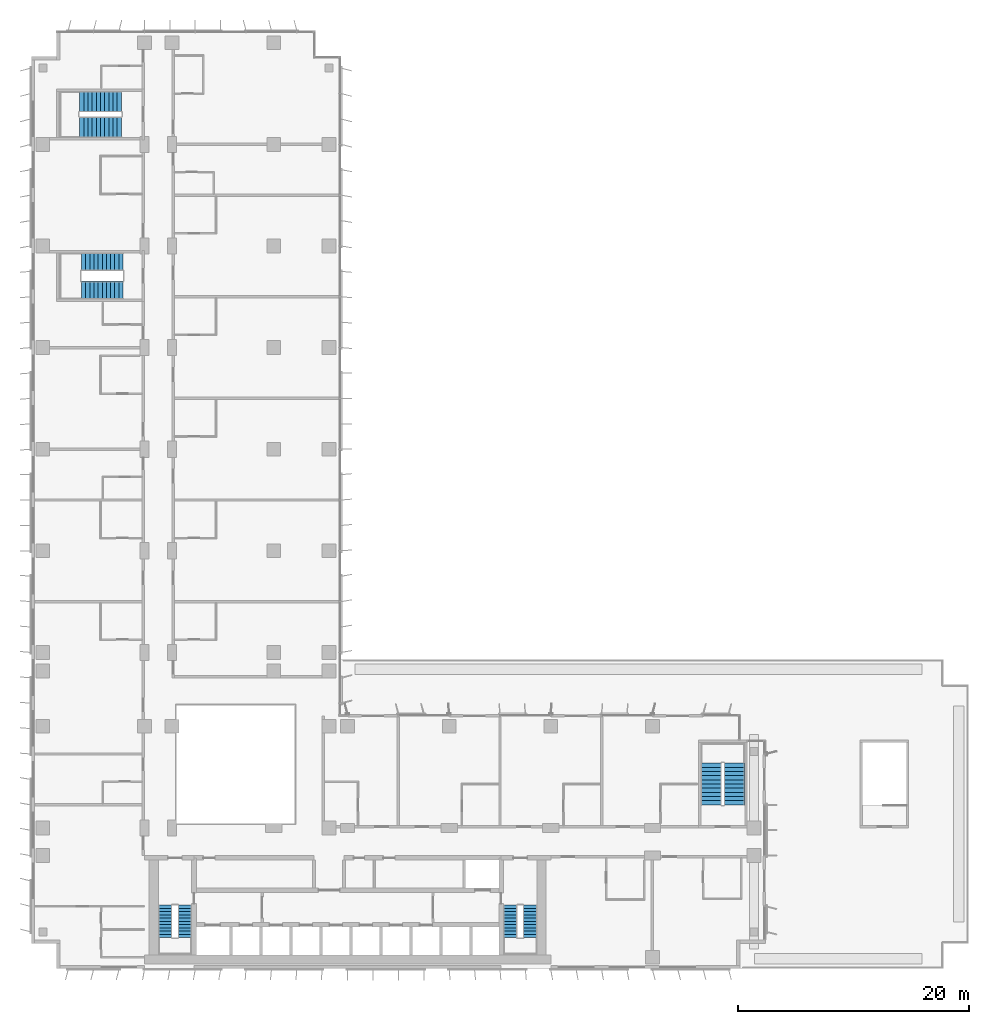
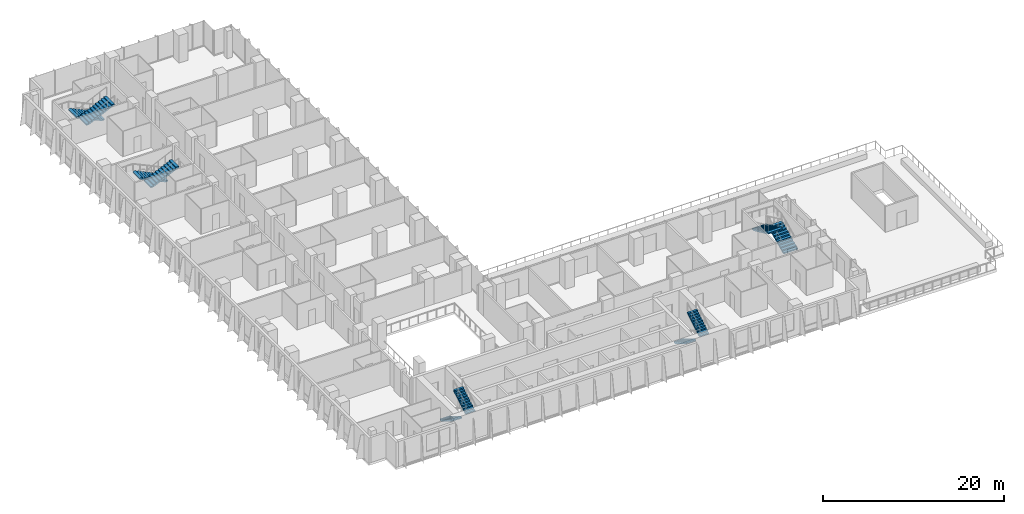
# One storey, part 22 of 27: 10 stair flights, 5 elements without a shape of their own.
"""IFC4 building model written with IfcOpenShell, lengths in metres."""

from ifc_helpers import new_model, si_unit, direction, frame, origin, place, context, subcontext, project, spatial, polyline, outline, extrude, material, type_object, element, aggregate, save


model = new_model("IFC4")

# Units and contexts
model_context = context("Model", 3, precision=1e-05, world=origin(), true_north=direction((0.0, 1.0)))
body_context = subcontext(model_context, "Body", "Model", "MODEL_VIEW")
ifc_project = project(units=[si_unit("LENGTHUNIT", "METRE"), si_unit("AREAUNIT", "SQUARE_METRE"), si_unit("VOLUMEUNIT", "CUBIC_METRE"), si_unit("PLANEANGLEUNIT", "RADIAN"), si_unit("MASSUNIT", "GRAM", prefix="KILO")], contexts=[model_context])

# Site, building, storey
site_placement = place(None, origin())
site = spatial("IfcSite", under=ifc_project, at=site_placement, CompositionType="ELEMENT")
building_placement = place(site_placement, origin())
building = spatial("IfcBuilding", under=site, at=building_placement, Name="Kemantara Hotel Tower", CompositionType="ELEMENT")
storey_placement = place(building_placement, frame((0.0, 0.0, 83.39990234375)))
storey = spatial("IfcBuildingStorey", under=building, at=storey_placement, Name="L19", CompositionType="ELEMENT", Elevation=83.39990234375)

# Stair, stair flights
ifc_material = material(Name="Concrete fc 40 MPa", Category="concrete")
stair_type_1 = type_object("IfcStairType", Name="Stair 1200 wide 22 risers of 168 x 280 mm", PredefinedType="HALF_TURN_STAIR", material=ifc_material)
stair_1_placement = place(storey_placement, origin())
stair_1 = element("IfcStair", 1, at=stair_1_placement, inside=storey, type_object=stair_type_1, Name="L19 Exit stair ST1", PredefinedType="HALF_TURN_STAIR")
stair_flight_type_1 = type_object("IfcStairFlightType", Name="Stair flight 1200 wide 168 x 280 mm", PredefinedType="STRAIGHT", material=ifc_material)
stair_flight_1_placement = place(storey_placement, frame((11.60009765625, 5.5, 0.0), z_axis=(0.0, 0.0, 1.0), x_axis=(0.0, -1.0, 0.0)))
stair_flight_1 = element("IfcStairFlight", 2, at=stair_flight_1_placement, type_object=stair_flight_type_1, Name="ST1 flight 1", NumberOfRisers=11, NumberOfTreads=10, PredefinedType="STRAIGHT", RiserHeight=0.168181818, TreadLength=0.28, context=body_context, shape_type="SweptSolid", body=[
    extrude(outline(polyline([(0.0, 0.0), (0.0, 0.168212890625), (0.280029296875, 0.168212890625), (0.280029296875, 0.33642578125), (0.56005859375, 0.33642578125), (0.56005859375, 0.504638671875), (0.840087890625, 0.504638671875), (0.840087890625, 0.672607421875), (1.1201171875, 0.672607421875), (1.1201171875, 0.8408203125), (1.39990234375, 0.8408203125), (1.39990234375, 1.009033203125), (1.679931640625, 1.009033203125), (1.679931640625, 1.17724609375), (1.9599609375, 1.17724609375), (1.9599609375, 1.345458984375), (2.239990234375, 1.345458984375), (2.239990234375, 1.513671875), (2.52001953125, 1.513671875), (2.52001953125, 1.681884765625), (2.800048828125, 1.681884765625), (2.800048828125, 1.85009765625), (2.800048828125, 1.5068359375), (0.291015625, 0.0), (0.0, 0.0)])), frame((0.0, 0.60009765625, 0.0), z_axis=(0.0, -1.0, 0.0), x_axis=(1.0, 0.0, 0.0)), (0.0, 0.0, 1.0), 1.199951171875),
])
stair_flight_2_placement = place(storey_placement, frame((13.300048828125, 2.699951171875, 1.85009765625), z_axis=(0.0, 0.0, 1.0), x_axis=(0.0, 1.0, 0.0)))
stair_flight_2 = element("IfcStairFlight", 3, at=stair_flight_2_placement, type_object=stair_flight_type_1, Name="ST1 flight 2", NumberOfRisers=11, NumberOfTreads=10, PredefinedType="STRAIGHT", RiserHeight=0.168181818, TreadLength=0.28, context=body_context, shape_type="SweptSolid", body=[
    extrude(outline(polyline([(0.0, 0.0), (0.0, 0.168212890625), (0.280029296875, 0.168212890625), (0.280029296875, 0.33642578125), (0.56005859375, 0.33642578125), (0.56005859375, 0.504638671875), (0.840087890625, 0.504638671875), (0.840087890625, 0.672607421875), (1.1201171875, 0.672607421875), (1.1201171875, 0.8408203125), (1.39990234375, 0.8408203125), (1.39990234375, 1.009033203125), (1.679931640625, 1.009033203125), (1.679931640625, 1.17724609375), (1.9599609375, 1.17724609375), (1.9599609375, 1.345458984375), (2.239990234375, 1.345458984375), (2.239990234375, 1.513671875), (2.52001953125, 1.513671875), (2.52001953125, 1.681884765625), (2.800048828125, 1.681884765625), (2.800048828125, 1.85009765625), (2.800048828125, 1.5068359375), (0.291015625, 0.0), (0.0, 0.0)])), frame((0.0, 0.60009765625, 0.0), z_axis=(0.0, -1.0, 0.0), x_axis=(1.0, 0.0, 0.0)), (0.0, 0.0, 1.0), 1.199951171875),
])
aggregate(stair_1, [stair_flight_1, stair_flight_2])

stair_2_placement = place(storey_placement, origin())
stair_2 = element("IfcStair", 4, at=stair_2_placement, inside=storey, type_object=stair_type_1, Name="L19 Exit stair ST2", PredefinedType="HALF_TURN_STAIR")
stair_flight_3_placement = place(storey_placement, frame((41.5, 5.5, 0.0), z_axis=(0.0, 0.0, 1.0), x_axis=(0.0, -1.0, 0.0)))
stair_flight_3 = element("IfcStairFlight", 5, at=stair_flight_3_placement, type_object=stair_flight_type_1, Name="ST2 flight 1", NumberOfRisers=11, NumberOfTreads=10, PredefinedType="STRAIGHT", RiserHeight=0.168181818, TreadLength=0.28, context=body_context, shape_type="SweptSolid", body=[
    extrude(outline(polyline([(0.0, 0.0), (0.0, 0.168212890625), (0.280029296875, 0.168212890625), (0.280029296875, 0.33642578125), (0.56005859375, 0.33642578125), (0.56005859375, 0.504638671875), (0.840087890625, 0.504638671875), (0.840087890625, 0.672607421875), (1.1201171875, 0.672607421875), (1.1201171875, 0.8408203125), (1.39990234375, 0.8408203125), (1.39990234375, 1.009033203125), (1.679931640625, 1.009033203125), (1.679931640625, 1.17724609375), (1.9599609375, 1.17724609375), (1.9599609375, 1.345458984375), (2.239990234375, 1.345458984375), (2.239990234375, 1.513671875), (2.52001953125, 1.513671875), (2.52001953125, 1.681884765625), (2.800048828125, 1.681884765625), (2.800048828125, 1.85009765625), (2.800048828125, 1.5068359375), (0.291015625, 0.0), (0.0, 0.0)])), frame((0.0, 0.60009765625, 0.0), z_axis=(0.0, -1.0, 0.0), x_axis=(1.0, 0.0, 0.0)), (0.0, 0.0, 1.0), 1.199951171875),
])
stair_flight_4_placement = place(storey_placement, frame((43.199951171875, 2.699951171875, 1.85009765625), z_axis=(0.0, 0.0, 1.0), x_axis=(0.0, 1.0, 0.0)))
stair_flight_4 = element("IfcStairFlight", 6, at=stair_flight_4_placement, type_object=stair_flight_type_1, Name="ST2 flight 2", NumberOfRisers=11, NumberOfTreads=10, PredefinedType="STRAIGHT", RiserHeight=0.168181818, TreadLength=0.28, context=body_context, shape_type="SweptSolid", body=[
    extrude(outline(polyline([(0.0, 0.0), (0.0, 0.168212890625), (0.280029296875, 0.168212890625), (0.280029296875, 0.33642578125), (0.56005859375, 0.33642578125), (0.56005859375, 0.504638671875), (0.840087890625, 0.504638671875), (0.840087890625, 0.672607421875), (1.1201171875, 0.672607421875), (1.1201171875, 0.8408203125), (1.39990234375, 0.8408203125), (1.39990234375, 1.009033203125), (1.679931640625, 1.009033203125), (1.679931640625, 1.17724609375), (1.9599609375, 1.17724609375), (1.9599609375, 1.345458984375), (2.239990234375, 1.345458984375), (2.239990234375, 1.513671875), (2.52001953125, 1.513671875), (2.52001953125, 1.681884765625), (2.800048828125, 1.681884765625), (2.800048828125, 1.85009765625), (2.800048828125, 1.5068359375), (0.291015625, 0.0), (0.0, 0.0)])), frame((0.0, 0.60009765625, 0.0), z_axis=(0.0, -1.0, 0.0), x_axis=(1.0, 0.0, 0.0)), (0.0, 0.0, 1.0), 1.199951171875),
])
aggregate(stair_2, [stair_flight_3, stair_flight_4])

stair_type_2 = type_object("IfcStairType", Name="Stair 1550 wide 22 risers of 168 x 360 mm", PredefinedType="HALF_TURN_STAIR", material=ifc_material)
stair_3_placement = place(storey_placement, origin())
stair_3 = element("IfcStair", 7, at=stair_3_placement, inside=storey, type_object=stair_type_2, Name="L19 Exit stair ST4", PredefinedType="HALF_TURN_STAIR")
stair_flight_type_2 = type_object("IfcStairFlightType", Name="Stair flight 1550 wide 168 x 360 mm", PredefinedType="STRAIGHT", material=ifc_material)
stair_flight_5_placement = place(storey_placement, frame((7.949951171875, 61.22509765625, 0.0), z_axis=(0.0, 0.0, 1.0), x_axis=(-1.0, 0.0, 0.0)))
stair_flight_5 = element("IfcStairFlight", 8, at=stair_flight_5_placement, type_object=stair_flight_type_2, Name="ST4 flight 1", NumberOfRisers=11, NumberOfTreads=10, PredefinedType="STRAIGHT", RiserHeight=0.168181818, TreadLength=0.36, context=body_context, shape_type="SweptSolid", body=[
    extrude(outline(polyline([(0.0, 0.0), (0.0, 0.168212890625), (0.360107421875, 0.168212890625), (0.360107421875, 0.33642578125), (0.719970703125, 0.33642578125), (0.719970703125, 0.504638671875), (1.080078125, 0.504638671875), (1.080078125, 0.672607421875), (1.43994140625, 0.672607421875), (1.43994140625, 0.8408203125), (1.800048828125, 0.8408203125), (1.800048828125, 1.009033203125), (2.159912109375, 1.009033203125), (2.159912109375, 1.17724609375), (2.52001953125, 1.17724609375), (2.52001953125, 1.345458984375), (2.8798828125, 1.345458984375), (2.8798828125, 1.513671875), (3.239990234375, 1.513671875), (3.239990234375, 1.681884765625), (3.60009765625, 1.681884765625), (3.60009765625, 1.85009765625), (3.60009765625, 1.516357421875), (0.354248046875, 0.0), (0.0, 0.0)])), frame((0.0, 0.77490234375, 0.0), z_axis=(0.0, -1.0, 0.0), x_axis=(1.0, 0.0, 0.0)), (0.0, 0.0, 1.0), 1.550048828125),
])
stair_flight_6_placement = place(storey_placement, frame((4.35009765625, 58.77490234375, 1.85009765625), z_axis=(0.0, 0.0, 1.0), x_axis=(1.0, 0.0, 0.0)))
stair_flight_6 = element("IfcStairFlight", 9, at=stair_flight_6_placement, type_object=stair_flight_type_2, Name="ST4 flight 2", NumberOfRisers=11, NumberOfTreads=10, PredefinedType="STRAIGHT", RiserHeight=0.168181818, TreadLength=0.36, context=body_context, shape_type="SweptSolid", body=[
    extrude(outline(polyline([(0.0, 0.0), (0.0, 0.168212890625), (0.360107421875, 0.168212890625), (0.360107421875, 0.33642578125), (0.719970703125, 0.33642578125), (0.719970703125, 0.504638671875), (1.080078125, 0.504638671875), (1.080078125, 0.672607421875), (1.43994140625, 0.672607421875), (1.43994140625, 0.8408203125), (1.800048828125, 0.8408203125), (1.800048828125, 1.009033203125), (2.159912109375, 1.009033203125), (2.159912109375, 1.17724609375), (2.52001953125, 1.17724609375), (2.52001953125, 1.345458984375), (2.8798828125, 1.345458984375), (2.8798828125, 1.513671875), (3.239990234375, 1.513671875), (3.239990234375, 1.681884765625), (3.60009765625, 1.681884765625), (3.60009765625, 1.85009765625), (3.60009765625, 1.516357421875), (0.354248046875, 0.0), (0.0, 0.0)])), frame((0.0, 0.77490234375, 0.0), z_axis=(0.0, -1.0, 0.0), x_axis=(1.0, 0.0, 0.0)), (0.0, 0.0, 1.0), 1.550048828125),
])
aggregate(stair_3, [stair_flight_5, stair_flight_6])

stair_type_3 = type_object("IfcStairType", Name="Stair 1800 wide 22 risers of 168 x 360 mm", PredefinedType="HALF_TURN_STAIR", material=ifc_material)
stair_4_placement = place(storey_placement, origin())
stair_4 = element("IfcStair", 10, at=stair_4_placement, inside=storey, type_object=stair_type_3, Name="L19 Exit stair ST3", PredefinedType="HALF_TURN_STAIR")
stair_flight_type_3 = type_object("IfcStairFlightType", Name="Stair flight 1800 wide 168 x 360 mm", PredefinedType="STRAIGHT", material=ifc_material)
stair_flight_7_placement = place(storey_placement, frame((60.89990234375, 14.199951171875, 0.0), z_axis=(0.0, 0.0, 1.0), x_axis=(0.0, 1.0, 0.0)))
stair_flight_7 = element("IfcStairFlight", 11, at=stair_flight_7_placement, type_object=stair_flight_type_3, Name="ST3 flight 1", NumberOfRisers=11, NumberOfTreads=10, PredefinedType="STRAIGHT", RiserHeight=0.168181818, TreadLength=0.36, context=body_context, shape_type="SweptSolid", body=[
    extrude(outline(polyline([(0.0, 0.0), (0.0, 0.168212890625), (0.360107421875, 0.168212890625), (0.360107421875, 0.33642578125), (0.719970703125, 0.33642578125), (0.719970703125, 0.504638671875), (1.080078125, 0.504638671875), (1.080078125, 0.672607421875), (1.43994140625, 0.672607421875), (1.43994140625, 0.8408203125), (1.800048828125, 0.8408203125), (1.800048828125, 1.009033203125), (2.159912109375, 1.009033203125), (2.159912109375, 1.17724609375), (2.52001953125, 1.17724609375), (2.52001953125, 1.345458984375), (2.8798828125, 1.345458984375), (2.8798828125, 1.513671875), (3.239990234375, 1.513671875), (3.239990234375, 1.681884765625), (3.60009765625, 1.681884765625), (3.60009765625, 1.85009765625), (3.60009765625, 1.516357421875), (0.354248046875, 0.0), (0.0, 0.0)])), frame((0.0, 0.89990234375, 0.0), z_axis=(0.0, -1.0, 0.0), x_axis=(1.0, 0.0, 0.0)), (0.0, 0.0, 1.0), 1.800048828125),
])
stair_flight_8_placement = place(storey_placement, frame((58.89990234375, 17.800048828125, 1.85009765625), z_axis=(0.0, 0.0, 1.0), x_axis=(0.0, -1.0, 0.0)))
stair_flight_8 = element("IfcStairFlight", 12, at=stair_flight_8_placement, type_object=stair_flight_type_3, Name="ST3 flight 2", NumberOfRisers=11, NumberOfTreads=10, PredefinedType="STRAIGHT", RiserHeight=0.168181818, TreadLength=0.36, context=body_context, shape_type="SweptSolid", body=[
    extrude(outline(polyline([(0.0, 0.0), (0.0, 0.168212890625), (0.360107421875, 0.168212890625), (0.360107421875, 0.33642578125), (0.719970703125, 0.33642578125), (0.719970703125, 0.504638671875), (1.080078125, 0.504638671875), (1.080078125, 0.672607421875), (1.43994140625, 0.672607421875), (1.43994140625, 0.8408203125), (1.800048828125, 0.8408203125), (1.800048828125, 1.009033203125), (2.159912109375, 1.009033203125), (2.159912109375, 1.17724609375), (2.52001953125, 1.17724609375), (2.52001953125, 1.345458984375), (2.8798828125, 1.345458984375), (2.8798828125, 1.513671875), (3.239990234375, 1.513671875), (3.239990234375, 1.681884765625), (3.60009765625, 1.681884765625), (3.60009765625, 1.85009765625), (3.60009765625, 1.516357421875), (0.354248046875, 0.0), (0.0, 0.0)])), frame((0.0, 0.89990234375, 0.0), z_axis=(0.0, -1.0, 0.0), x_axis=(1.0, 0.0, 0.0)), (0.0, 0.0, 1.0), 1.800048828125),
])
aggregate(stair_4, [stair_flight_7, stair_flight_8])

stair_5_placement = place(storey_placement, origin())
stair_5 = element("IfcStair", 13, at=stair_5_placement, inside=storey, type_object=stair_type_3, Name="L19 Exit stair ST6", PredefinedType="HALF_TURN_STAIR")
stair_flight_9_placement = place(storey_placement, frame((7.800048828125, 75.10009765625, 0.0), z_axis=(0.0, 0.0, 1.0), x_axis=(-1.0, 0.0, 0.0)))
stair_flight_9 = element("IfcStairFlight", 14, at=stair_flight_9_placement, type_object=stair_flight_type_3, Name="ST6 flight 1", NumberOfRisers=11, NumberOfTreads=10, PredefinedType="STRAIGHT", RiserHeight=0.168181818, TreadLength=0.36, context=body_context, shape_type="SweptSolid", body=[
    extrude(outline(polyline([(0.0, 0.0), (0.0, 0.168212890625), (0.360107421875, 0.168212890625), (0.360107421875, 0.33642578125), (0.719970703125, 0.33642578125), (0.719970703125, 0.504638671875), (1.080078125, 0.504638671875), (1.080078125, 0.672607421875), (1.43994140625, 0.672607421875), (1.43994140625, 0.8408203125), (1.800048828125, 0.8408203125), (1.800048828125, 1.009033203125), (2.159912109375, 1.009033203125), (2.159912109375, 1.17724609375), (2.52001953125, 1.17724609375), (2.52001953125, 1.345458984375), (2.8798828125, 1.345458984375), (2.8798828125, 1.513671875), (3.239990234375, 1.513671875), (3.239990234375, 1.681884765625), (3.60009765625, 1.681884765625), (3.60009765625, 1.85009765625), (3.60009765625, 1.516357421875), (0.354248046875, 0.0), (0.0, 0.0)])), frame((0.0, 0.89990234375, 0.0), z_axis=(0.0, -1.0, 0.0), x_axis=(1.0, 0.0, 0.0)), (0.0, 0.0, 1.0), 1.800048828125),
])
stair_flight_10_placement = place(storey_placement, frame((4.199951171875, 72.89990234375, 1.85009765625), z_axis=(0.0, 0.0, 1.0), x_axis=(1.0, 0.0, 0.0)))
stair_flight_10 = element("IfcStairFlight", 15, at=stair_flight_10_placement, type_object=stair_flight_type_3, Name="ST6 flight 2", NumberOfRisers=11, NumberOfTreads=10, PredefinedType="STRAIGHT", RiserHeight=0.168181818, TreadLength=0.36, context=body_context, shape_type="SweptSolid", body=[
    extrude(outline(polyline([(0.0, 0.0), (0.0, 0.168212890625), (0.360107421875, 0.168212890625), (0.360107421875, 0.33642578125), (0.719970703125, 0.33642578125), (0.719970703125, 0.504638671875), (1.080078125, 0.504638671875), (1.080078125, 0.672607421875), (1.43994140625, 0.672607421875), (1.43994140625, 0.8408203125), (1.800048828125, 0.8408203125), (1.800048828125, 1.009033203125), (2.159912109375, 1.009033203125), (2.159912109375, 1.17724609375), (2.52001953125, 1.17724609375), (2.52001953125, 1.345458984375), (2.8798828125, 1.345458984375), (2.8798828125, 1.513671875), (3.239990234375, 1.513671875), (3.239990234375, 1.681884765625), (3.60009765625, 1.681884765625), (3.60009765625, 1.85009765625), (3.60009765625, 1.516357421875), (0.354248046875, 0.0), (0.0, 0.0)])), frame((0.0, 0.89990234375, 0.0), z_axis=(0.0, -1.0, 0.0), x_axis=(1.0, 0.0, 0.0)), (0.0, 0.0, 1.0), 1.800048828125),
])
aggregate(stair_5, [stair_flight_9, stair_flight_10])

save(model, "model.ifc")
